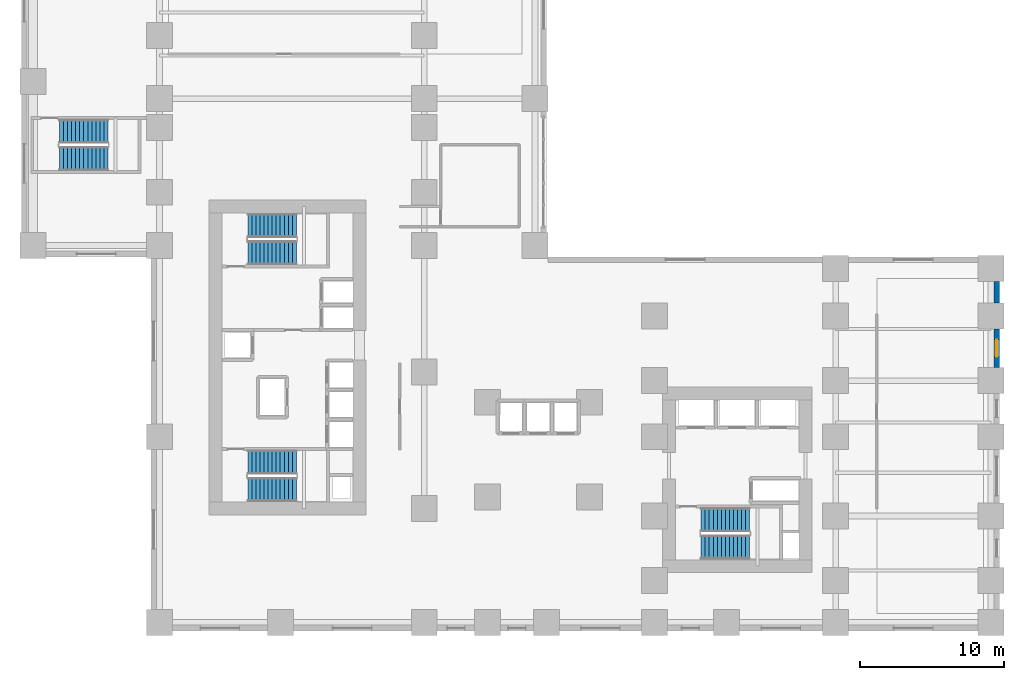
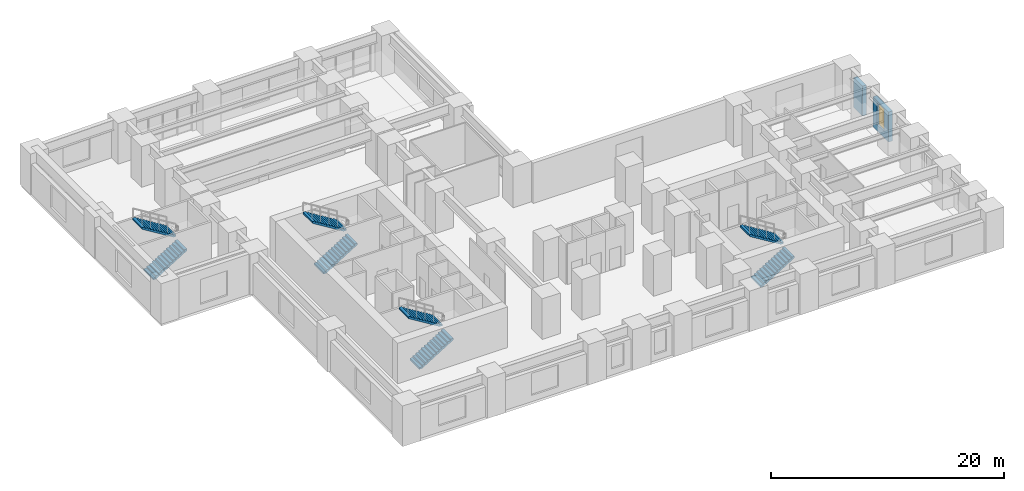
# One storey, part 10 of 13: 8 stair flights, 2 walls, 1 window, 1 opening, 4 elements without a shape of their own.
"""IFC4 building model written with IfcOpenShell, lengths in metres."""

from ifc_helpers import new_model, si_unit, direction, frame, frame_2d, origin, place, context, subcontext, project, spatial, polyline, rectangle, outline, extrude, source, transform, mapped, material, layer, layer_set, type_object, element, fill, aggregate, save


model = new_model("IFC4")

# Units and contexts
model_context = context("Model", 3, precision=1e-05, world=origin(), true_north=direction((0.0, 1.0)))
body_context = subcontext(model_context, "Body", "Model", "MODEL_VIEW")
ifc_project = project(units=[si_unit("LENGTHUNIT", "METRE"), si_unit("AREAUNIT", "SQUARE_METRE"), si_unit("VOLUMEUNIT", "CUBIC_METRE"), si_unit("PLANEANGLEUNIT", "RADIAN"), si_unit("MASSUNIT", "GRAM", prefix="KILO")], contexts=[model_context])

# Site, building, storey
site_placement = place(None, origin())
site = spatial("IfcSite", under=ifc_project, at=site_placement, CompositionType="ELEMENT")
building_placement = place(site_placement, origin())
building = spatial("IfcBuilding", under=site, at=building_placement, Name="Kharzan Plaza Tower", CompositionType="ELEMENT")
storey_placement = place(building_placement, frame((0.0, 0.0, 4.5)))
storey = spatial("IfcBuildingStorey", under=building, at=storey_placement, Name="L01", CompositionType="ELEMENT", Elevation=4.5)

# Wall, opening, window
ifc_material_1 = material(Name="Concrete C40/50", Category="concrete")
ifc_layer = layer(ifc_material_1, 0.39990234375)
ifc_layer_set = layer_set([ifc_layer], Name="Concrete C40/50")
wall_type = type_object("IfcWallType", Name="WL-POD-MAS-400", PredefinedType="SOLIDWALL", material=ifc_layer_set)
wall_1_placement = place(storey_placement, frame((58.800048828125, 18.298095703125, 0.0), z_axis=(0.0, 0.0, 1.0), x_axis=(0.0, 1.0, 0.0)))
wall_1 = element("IfcWall", 1, at=wall_1_placement, inside=storey, type_object=wall_type, Name="L01 Masonry-Frame Exterior Wall 29", PredefinedType="SOLIDWALL", context=body_context, shape_type="SweptSolid", body=[
    extrude(rectangle(XDim=2.703857421875, YDim=0.39990234375, at=frame_2d((1.35205078125, 0.0))), origin(), (0.0, 0.0, 1.0), 3.135009765625),
])
opening_placement = place(wall_1_placement, frame((0.751953125, 0.0, 0.64990234375)))
opening = element("IfcOpeningElement", 2, at=opening_placement, cuts=wall_1, Name="Opening W3", PredefinedType="OPENING", context=body_context, shape_type="SweptSolid", body=[
    extrude(rectangle(XDim=1.199951171875, YDim=2.304931640625, at=frame_2d((0.60009765625, 1.15234375))), frame((0.0, 0.2099609375, 0.0), z_axis=(0.0, -1.0, 0.0), x_axis=(1.0, 0.0, 0.0)), (0.0, 0.0, 1.0), 0.419921875),
])
ifc_material_2 = material(Name="Low-E Double Glazing", Category="glass")
window_type = type_object("IfcWindowType", Name="WN-REC-1200x2100", PartitioningType="SINGLE_PANEL", PredefinedType="WINDOW", material=ifc_material_2)
shared_shape_1 = source(origin(), body_context, "Body", "SweptSolid", [
    extrude(rectangle(XDim=1.199951171875, YDim=2.304931640625, at=frame_2d((0.60009765625, 1.15234375))), frame((0.0, 0.030029296875, 0.0), z_axis=(0.0, -1.0, 0.0), x_axis=(1.0, 0.0, 0.0)), (0.0, 0.0, 1.0), 0.06005859375),
])
window_placement = place(opening_placement, origin())
window = element("IfcWindow", 3, at=window_placement, inside=storey, type_object=window_type, Name="L01 Recessed Solar-Control Window 29-1", OverallHeight=2.304931640625, OverallWidth=1.199951171875, PartitioningType="SINGLE_PANEL", PredefinedType="WINDOW", context=body_context, shape_type="MappedRepresentation", body=[
    mapped(shared_shape_1, transform((0.0, 0.0, 0.0), x_axis=(1.0, 0.0, 0.0), y_axis=(0.0, 1.0, 0.0), z_axis=(0.0, 0.0, 1.0))),
])
fill(opening, window)

# Wall
shared_shape_2 = source(origin(), body_context, "Body", "SweptSolid", [
    extrude(rectangle(XDim=1.50390625, YDim=0.39990234375, at=frame_2d((0.751953125, 0.0))), origin(), (0.0, 0.0, 1.0), 3.135009765625),
])
wall_2_placement = place(storey_placement, frame((58.800048828125, 22.798095703125, 0.0), z_axis=(0.0, 0.0, 1.0), x_axis=(0.0, 1.0, 0.0)))
element("IfcWall", 4, at=wall_2_placement, inside=storey, type_object=wall_type, Name="L01 Masonry-Frame Exterior Wall 30", PredefinedType="SOLIDWALL", context=body_context, shape_type="MappedRepresentation", body=[
    mapped(shared_shape_2, transform((0.0, 0.0, 0.0), x_axis=(1.0, 0.0, 0.0), y_axis=(0.0, 1.0, 0.0), z_axis=(0.0, 0.0, 1.0))),
])

# Stair, stair flights
stair_type_1 = type_object("IfcStairType", Name="STR-ST-1", PredefinedType="HALF_TURN_STAIR", material=ifc_material_1)
stair_1_placement = place(storey_placement, origin())
stair_1 = element("IfcStair", 5, at=stair_1_placement, inside=storey, type_object=stair_type_1, Name="L01 Protected Exit Stair ST-1", PredefinedType="HALF_TURN_STAIR")
stair_flight_type = type_object("IfcStairFlightType", Name="SFL-1650-R173", PredefinedType="STRAIGHT", material=ifc_material_1)
shared_shape_3 = source(origin(), body_context, "Body", "SweptSolid", [
    extrude(outline(polyline([(-0.0029296875, -0.011962890625), (-0.0029296875, 0.0), (0.0, 0.0), (0.0, 0.173095703125), (0.280029296875, 0.173095703125), (0.280029296875, 0.34619140625), (0.56005859375, 0.34619140625), (0.56005859375, 0.519287109375), (0.840087890625, 0.519287109375), (0.840087890625, 0.6923828125), (1.1201171875, 0.6923828125), (1.1201171875, 0.865478515625), (1.400146484375, 0.865478515625), (1.400146484375, 1.03857421875), (1.68017578125, 1.03857421875), (1.68017578125, 1.211669921875), (1.960205078125, 1.211669921875), (1.960205078125, 1.384765625), (2.240234375, 1.384765625), (2.240234375, 1.557861328125), (2.520263671875, 1.557861328125), (2.520263671875, 1.73095703125), (2.80029296875, 1.73095703125), (2.80029296875, 1.904052734375), (3.080322265625, 1.904052734375), (3.080322265625, 2.0771484375), (3.3603515625, 2.0771484375), (3.3603515625, 2.250244140625), (3.3603515625, 1.90087890625), (0.28515625, 0.0), (0.28515625, -0.011962890625), (-0.0029296875, -0.011962890625)])), frame((0.0, 0.824951171875, 0.0), z_axis=(0.0, -1.0, 0.0), x_axis=(1.0, 0.0, 0.0)), (0.0, 0.0, 1.0), 1.64990234375),
])
stair_flight_1_placement = place(storey_placement, frame((6.75, 9.824951171875, 0.0), z_axis=(0.0, 0.0, 1.0), x_axis=(1.0, 0.0, 0.0)))
stair_flight_1 = element("IfcStairFlight", 6, at=stair_flight_1_placement, type_object=stair_flight_type, Name="ST-1 flight 1", NumberOfRisers=13, NumberOfTreads=12, PredefinedType="STRAIGHT", RiserHeight=0.173076923, TreadLength=0.28, context=body_context, shape_type="MappedRepresentation", body=[
    mapped(shared_shape_3, transform((0.0, 0.0, 0.0), x_axis=(1.0, 0.0, 0.0), y_axis=(0.0, 1.0, 0.0), z_axis=(0.0, 0.0, 1.0))),
])
stair_flight_2_placement = place(storey_placement, frame((10.110107421875, 11.72509765625, 2.25), z_axis=(0.0, 0.0, 1.0), x_axis=(-1.0, 0.0, 0.0)))
stair_flight_2 = element("IfcStairFlight", 7, at=stair_flight_2_placement, type_object=stair_flight_type, Name="ST-1 flight 2", NumberOfRisers=13, NumberOfTreads=12, PredefinedType="STRAIGHT", RiserHeight=0.173076923, TreadLength=0.28, context=body_context, shape_type="MappedRepresentation", body=[
    mapped(shared_shape_3, transform((0.0, 0.0, 0.0), x_axis=(1.0, 0.0, 0.0), y_axis=(0.0, 1.0, 0.0), z_axis=(0.0, 0.0, 1.0))),
])
aggregate(stair_1, [stair_flight_1, stair_flight_2])

stair_type_2 = type_object("IfcStairType", Name="STR-ST-2", PredefinedType="HALF_TURN_STAIR", material=ifc_material_1)
stair_2_placement = place(storey_placement, origin())
stair_2 = element("IfcStair", 8, at=stair_2_placement, inside=storey, type_object=stair_type_2, Name="L01 Protected Exit Stair ST-2", PredefinedType="HALF_TURN_STAIR")
stair_flight_3_placement = place(storey_placement, frame((6.75, 26.27490234375, 0.0), z_axis=(0.0, 0.0, 1.0), x_axis=(1.0, 0.0, 0.0)))
stair_flight_3 = element("IfcStairFlight", 9, at=stair_flight_3_placement, type_object=stair_flight_type, Name="ST-2 flight 1", NumberOfRisers=13, NumberOfTreads=12, PredefinedType="STRAIGHT", RiserHeight=0.173076923, TreadLength=0.28, context=body_context, shape_type="MappedRepresentation", body=[
    mapped(shared_shape_3, transform((0.0, 0.0, 0.0), x_axis=(1.0, 0.0, 0.0), y_axis=(0.0, 1.0, 0.0), z_axis=(0.0, 0.0, 1.0))),
])
stair_flight_4_placement = place(storey_placement, frame((10.110107421875, 28.175048828125, 2.25), z_axis=(0.0, 0.0, 1.0), x_axis=(-1.0, 0.0, 0.0)))
stair_flight_4 = element("IfcStairFlight", 10, at=stair_flight_4_placement, type_object=stair_flight_type, Name="ST-2 flight 2", NumberOfRisers=13, NumberOfTreads=12, PredefinedType="STRAIGHT", RiserHeight=0.173076923, TreadLength=0.28, context=body_context, shape_type="MappedRepresentation", body=[
    mapped(shared_shape_3, transform((0.0, 0.0, 0.0), x_axis=(1.0, 0.0, 0.0), y_axis=(0.0, 1.0, 0.0), z_axis=(0.0, 0.0, 1.0))),
])
aggregate(stair_2, [stair_flight_3, stair_flight_4])

stair_type_3 = type_object("IfcStairType", Name="STR-ST-3", PredefinedType="HALF_TURN_STAIR", material=ifc_material_1)
stair_3_placement = place(storey_placement, origin())
stair_3 = element("IfcStair", 11, at=stair_3_placement, inside=storey, type_object=stair_type_3, Name="L01 Protected Exit Stair ST-3", PredefinedType="HALF_TURN_STAIR")
stair_flight_5_placement = place(storey_placement, frame((38.25, 5.824951171875, 0.0), z_axis=(0.0, 0.0, 1.0), x_axis=(1.0, 0.0, 0.0)))
stair_flight_5 = element("IfcStairFlight", 12, at=stair_flight_5_placement, type_object=stair_flight_type, Name="ST-3 flight 1", NumberOfRisers=13, NumberOfTreads=12, PredefinedType="STRAIGHT", RiserHeight=0.173076923, TreadLength=0.28, context=body_context, shape_type="MappedRepresentation", body=[
    mapped(shared_shape_3, transform((0.0, 0.0, 0.0), x_axis=(1.0, 0.0, 0.0), y_axis=(0.0, 1.0, 0.0), z_axis=(0.0, 0.0, 1.0))),
])
stair_flight_6_placement = place(storey_placement, frame((41.610107421875, 7.72509765625, 2.25), z_axis=(0.0, 0.0, 1.0), x_axis=(-1.0, 0.0, 0.0)))
stair_flight_6 = element("IfcStairFlight", 13, at=stair_flight_6_placement, type_object=stair_flight_type, Name="ST-3 flight 2", NumberOfRisers=13, NumberOfTreads=12, PredefinedType="STRAIGHT", RiserHeight=0.173076923, TreadLength=0.28, context=body_context, shape_type="MappedRepresentation", body=[
    mapped(shared_shape_3, transform((0.0, 0.0, 0.0), x_axis=(1.0, 0.0, 0.0), y_axis=(0.0, 1.0, 0.0), z_axis=(0.0, 0.0, 1.0))),
])
aggregate(stair_3, [stair_flight_5, stair_flight_6])

stair_type_4 = type_object("IfcStairType", Name="STR-ST-4", PredefinedType="HALF_TURN_STAIR", material=ifc_material_1)
stair_4_placement = place(storey_placement, origin())
stair_4 = element("IfcStair", 14, at=stair_4_placement, inside=storey, type_object=stair_type_4, Name="L01 Podium Exit Stair ST-4", PredefinedType="HALF_TURN_STAIR")
stair_flight_7_placement = place(storey_placement, frame((-6.35009765625, 32.824951171875, 0.0), z_axis=(0.0, 0.0, 1.0), x_axis=(1.0, 0.0, 0.0)))
stair_flight_7 = element("IfcStairFlight", 15, at=stair_flight_7_placement, type_object=stair_flight_type, Name="ST-4 flight 1", NumberOfRisers=13, NumberOfTreads=12, PredefinedType="STRAIGHT", RiserHeight=0.173076923, TreadLength=0.28, context=body_context, shape_type="MappedRepresentation", body=[
    mapped(shared_shape_3, transform((0.0, 0.0, 0.0), x_axis=(1.0, 0.0, 0.0), y_axis=(0.0, 1.0, 0.0), z_axis=(0.0, 0.0, 1.0))),
])
stair_flight_8_placement = place(storey_placement, frame((-2.989990234375, 34.72509765625, 2.25), z_axis=(0.0, 0.0, 1.0), x_axis=(-1.0, 0.0, 0.0)))
stair_flight_8 = element("IfcStairFlight", 16, at=stair_flight_8_placement, type_object=stair_flight_type, Name="ST-4 flight 2", NumberOfRisers=13, NumberOfTreads=12, PredefinedType="STRAIGHT", RiserHeight=0.173076923, TreadLength=0.28, context=body_context, shape_type="MappedRepresentation", body=[
    mapped(shared_shape_3, transform((0.0, 0.0, 0.0), x_axis=(1.0, 0.0, 0.0), y_axis=(0.0, 1.0, 0.0), z_axis=(0.0, 0.0, 1.0))),
])
aggregate(stair_4, [stair_flight_7, stair_flight_8])

save(model, "model.ifc")
